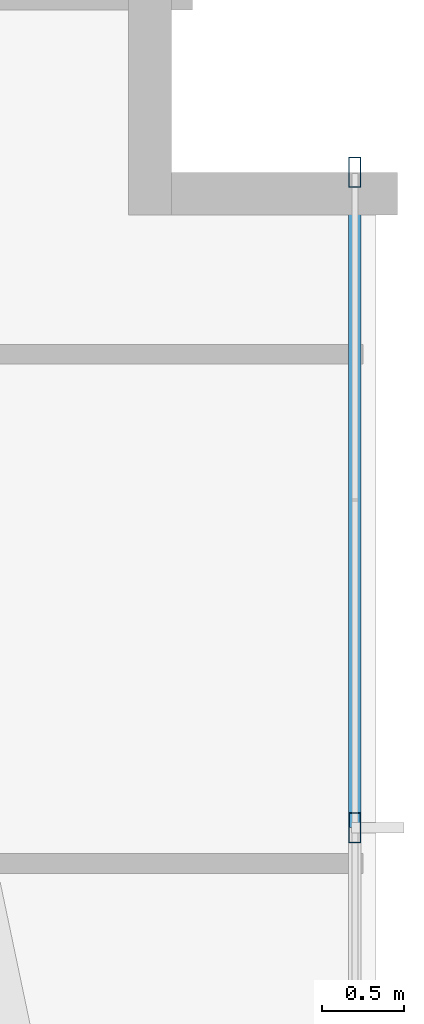
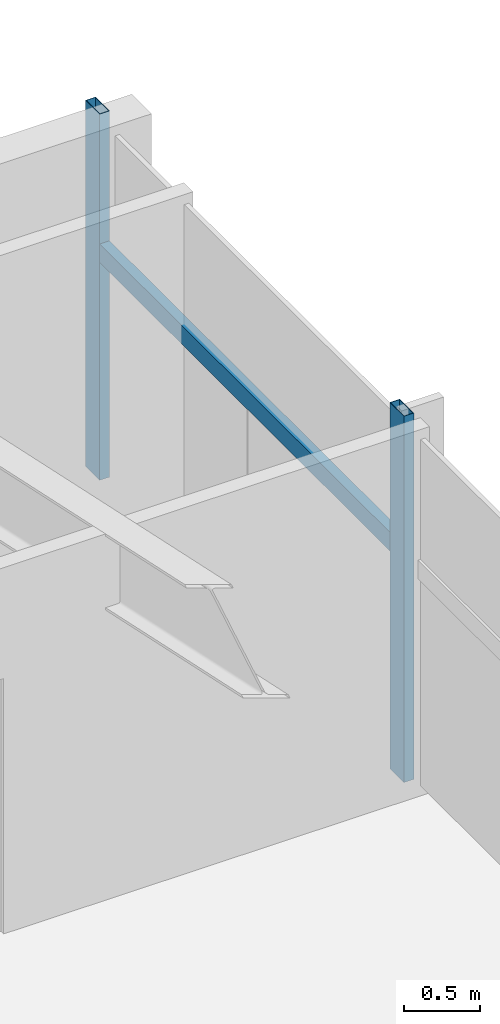
# One storey, part 17 of 25: 3 members, 1 element without a shape of its own.
"""IFC4 building model written with IfcOpenShell, lengths in metres."""

from ifc_helpers import new_model, si_unit, direction, frame, origin, origin_2d, place, context, subcontext, project, spatial, hollow_rectangle, extrude, source, transform, mapped, material, material_profile, profile_set, type_object, type_shapes, element, aggregate, save


model = new_model("IFC4")

# Units and contexts
model_context = context("Model", 3, precision=1e-05, world=origin(), true_north=direction((0.0, 1.0)))
body_context = subcontext(model_context, "Body", "Model", "MODEL_VIEW")
ifc_project = project(units=[si_unit("LENGTHUNIT", "METRE"), si_unit("AREAUNIT", "SQUARE_METRE"), si_unit("VOLUMEUNIT", "CUBIC_METRE"), si_unit("PLANEANGLEUNIT", "RADIAN"), si_unit("MASSUNIT", "GRAM", prefix="KILO")], contexts=[model_context])

# Site, building, storey
site_placement = place(None, origin())
site = spatial("IfcSite", under=ifc_project, at=site_placement, CompositionType="ELEMENT")
building_placement = place(site_placement, origin())
building = spatial("IfcBuilding", under=site, at=building_placement, Name="Astriad Promenade Condominiums", CompositionType="ELEMENT")
storey_placement = place(building_placement, frame((0.0, 0.0, 26.199951171875)))
storey = spatial("IfcBuildingStorey", under=building, at=storey_placement, Name="L06", CompositionType="ELEMENT", Elevation=26.199951171875)

# Curtain wall, members
ifc_material_1 = material(Name="Anodised aluminium Black Dark Glass Unitised", Category="aluminium")
curtain_wall_type = type_object("IfcCurtainWallType", Name="CW-B1-DARK", PredefinedType="USERDEFINED", material=ifc_material_1)
curtain_wall_placement = place(storey_placement, origin())
curtain_wall = element("IfcCurtainWall", 1, at=curtain_wall_placement, inside=storey, type_object=curtain_wall_type, Name="CW-L06-E", ObjectType="UNITISED_CURTAIN_WALL", PredefinedType="USERDEFINED")
ifc_material_2 = material(Name="Anodised aluminium 6063-T6 Black", Category="aluminium")
ifc_material_profile_1 = material_profile(ifc_material_2, hollow_rectangle(XDim=0.074951171875, YDim=0.18505859375, WallThickness=0.00439453125, at=origin_2d()), Name="ALU-MUL-75X185")
ifc_profile_set_1 = profile_set([ifc_material_profile_1], Name="Anodised aluminium 6063-T6 Black")
member_type_1 = type_object("IfcMemberType", Name="MUL-ALU-MUL-75X185", PredefinedType="MULLION", material=ifc_profile_set_1)
shared_shape_1 = source(origin(), body_context, "Body", "SweptSolid", [
    extrude(hollow_rectangle(XDim=0.074951171875, YDim=0.18505859375, WallThickness=0.00439453125, at=origin_2d()), origin(), (0.0, 0.0, 1.0), 2.93994140625),
])
type_shapes(member_type_1, [shared_shape_1])
member_1_placement = place(storey_placement, frame((59.669921875, 25.199951171875, 0.0), z_axis=(0.0, 0.0, 1.0), x_axis=(1.0, 0.0, 0.0)))
member_1 = element("IfcMember", 2, at=member_1_placement, type_object=member_type_1, Name="CW-L06-E-MUL-00", PredefinedType="MULLION", context=body_context, shape_type="MappedRepresentation", body=[
    mapped(shared_shape_1, transform((0.0, 0.0, 0.0), scale=1.0)),
])
member_2_placement = place(storey_placement, frame((59.669921875, 21.199951171875, 0.0), z_axis=(0.0, 0.0, 1.0), x_axis=(1.0, 0.0, 0.0)))
member_2 = element("IfcMember", 3, at=member_2_placement, type_object=member_type_1, Name="CW-L06-E-MUL-01", PredefinedType="MULLION", context=body_context, shape_type="MappedRepresentation", body=[
    mapped(shared_shape_1, transform((0.0, 0.0, 0.0), scale=1.0)),
])
ifc_material_profile_2 = material_profile(ifc_material_2, hollow_rectangle(XDim=0.074951171875, YDim=0.14990234375, WallThickness=0.004150390625, at=origin_2d()), Name="ALU-TRN-75X150")
ifc_profile_set_2 = profile_set([ifc_material_profile_2], Name="Anodised aluminium 6063-T6 Black")
member_type_2 = type_object("IfcMemberType", Name="TRN-ALU-TRN-75X150", PredefinedType="USERDEFINED", material=ifc_profile_set_2)
shared_shape_2 = source(origin(), body_context, "Body", "SweptSolid", [
    extrude(hollow_rectangle(XDim=0.074951171875, YDim=0.14990234375, WallThickness=0.004150390625, at=origin_2d()), origin(), (0.0, 0.0, 1.0), 4.0),
])
type_shapes(member_type_2, [shared_shape_2])
member_3_placement = place(storey_placement, frame((59.669921875, 25.199951171875, 1.82275390625), z_axis=(0.0, -1.0, 0.0), x_axis=(1.0, 0.0, 0.0)))
member_3 = element("IfcMember", 4, at=member_3_placement, type_object=member_type_2, Name="CW-L06-E-TRN-00-0", ObjectType="TRANSOM", PredefinedType="USERDEFINED", context=body_context, shape_type="MappedRepresentation", body=[
    mapped(shared_shape_2, transform((0.0, 0.0, 0.0), scale=1.0)),
])
aggregate(curtain_wall, [member_1, member_2, member_3])

save(model, "model.ifc")
